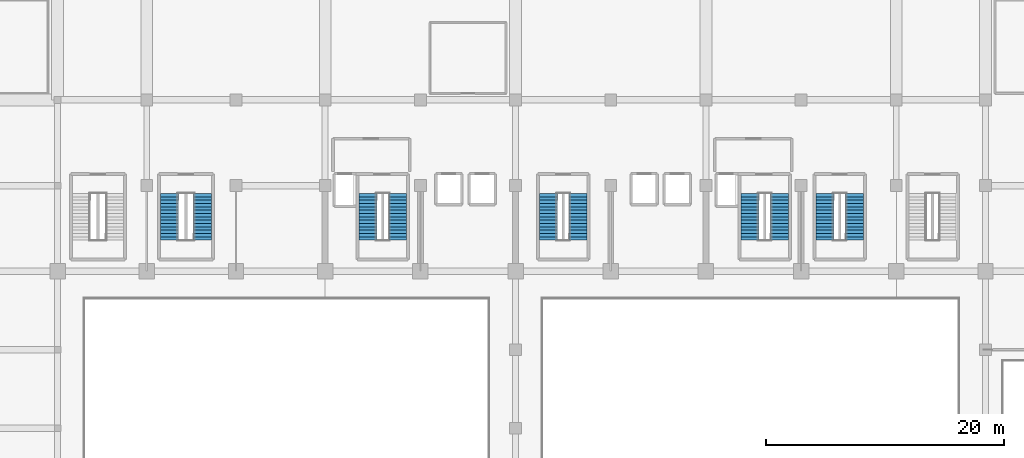
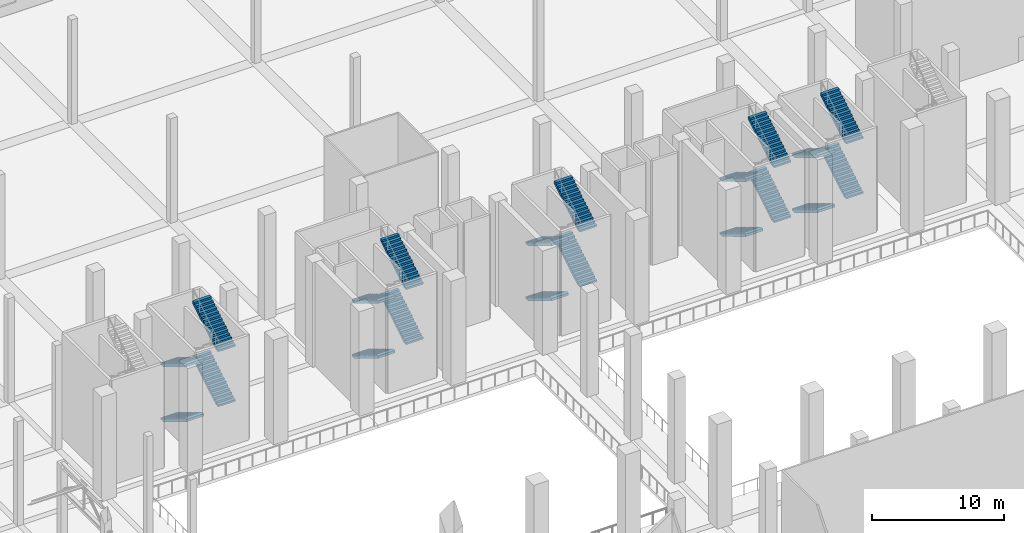
# One storey, part 74 of 80: 20 stair flights, 5 elements without a shape of their own.
"""IFC4 building model written with IfcOpenShell, lengths in metres."""

from ifc_helpers import new_model, si_unit, direction, frame, origin, place, context, subcontext, project, spatial, polyline, outline, extrude, material, type_object, element, aggregate, save


model = new_model("IFC4")

# Units and contexts
model_context = context("Model", 3, precision=1e-05, world=origin(), true_north=direction((0.0, 1.0)))
body_context = subcontext(model_context, "Body", "Model", "MODEL_VIEW")
ifc_project = project(units=[si_unit("LENGTHUNIT", "METRE"), si_unit("AREAUNIT", "SQUARE_METRE"), si_unit("VOLUMEUNIT", "CUBIC_METRE"), si_unit("PLANEANGLEUNIT", "RADIAN"), si_unit("MASSUNIT", "GRAM", prefix="KILO")], contexts=[model_context])

# Site, building, storey
site_placement = place(None, origin())
site = spatial("IfcSite", under=ifc_project, at=site_placement, CompositionType="ELEMENT")
building_placement = place(site_placement, origin())
building = spatial("IfcBuilding", under=site, at=building_placement, Name="Akrevak Sports Hall", CompositionType="ELEMENT")
storey_placement = place(building_placement, frame((0.0, 0.0, 14.0)))
storey = spatial("IfcBuildingStorey", under=building, at=storey_placement, Name="L03", CompositionType="ELEMENT", Elevation=14.0)

# Stair, stair flights
ifc_material = material(Name="Concrete C40/50", Category="concrete")
stair_type_1 = type_object("IfcStairType", Name="ARC-STR-DOG-1015", PredefinedType="HALF_TURN_STAIR", material=ifc_material)
stair_1_placement = place(storey_placement, origin())
stair_1 = element("IfcStair", 1, at=stair_1_placement, inside=storey, type_object=stair_type_1, Name="Protected Exit Stair ST1 (L03 to L04)", PredefinedType="HALF_TURN_STAIR")
stair_flight_type_1 = type_object("IfcStairFlightType", Name="ARC-FLT-165-169", PredefinedType="STRAIGHT", material=ifc_material)
stair_flight_1_placement = place(storey_placement, frame((63.610107421875, 61.735107421875, 0.0), z_axis=(0.0, 0.0, 1.0), x_axis=(0.0, -1.0, 0.0)))
stair_flight_1 = element("IfcStairFlight", 2, at=stair_flight_1_placement, type_object=stair_flight_type_1, Name="Stair ST1 Flight 1 (L03)", NumberOfRisers=15, NumberOfTreads=14, PredefinedType="STRAIGHT", RiserHeight=0.169167, TreadLength=0.28, context=body_context, shape_type="SweptSolid", body=[
    extrude(outline(polyline([(0.0, 0.0), (0.0, 0.169189453125), (0.280029296875, 0.169189453125), (0.280029296875, 0.33837890625), (0.56005859375, 0.33837890625), (0.56005859375, 0.507568359375), (0.840087890625, 0.507568359375), (0.840087890625, 0.6767578125), (1.1201171875, 0.6767578125), (1.1201171875, 0.845947265625), (1.39990234375, 0.845947265625), (1.39990234375, 1.014892578125), (1.679931640625, 1.014892578125), (1.679931640625, 1.18408203125), (1.9599609375, 1.18408203125), (1.9599609375, 1.353271484375), (2.239990234375, 1.353271484375), (2.239990234375, 1.5224609375), (2.52001953125, 1.5224609375), (2.52001953125, 1.691650390625), (2.800048828125, 1.691650390625), (2.800048828125, 1.86083984375), (3.080078125, 1.86083984375), (3.080078125, 2.030029296875), (3.360107421875, 2.030029296875), (3.360107421875, 2.19921875), (3.639892578125, 2.19921875), (3.639892578125, 2.368408203125), (3.919921875, 2.368408203125), (3.919921875, 2.53759765625), (3.919921875, 2.134765625), (0.38671875, 0.0), (0.0, 0.0)])), frame((0.0, 0.75, 0.0), z_axis=(0.0, -1.0, 0.0), x_axis=(1.0, 0.0, 0.0)), (0.0, 0.0, 1.0), 1.5),
])
stair_flight_2_placement = place(storey_placement, frame((66.090087890625, 57.81494140625, 2.53759765625), z_axis=(0.0, 0.0, 1.0), x_axis=(0.0, 1.0, 0.0)))
stair_flight_2 = element("IfcStairFlight", 3, at=stair_flight_2_placement, type_object=stair_flight_type_1, Name="Stair ST1 Flight 2 (L03)", NumberOfRisers=15, NumberOfTreads=14, PredefinedType="STRAIGHT", RiserHeight=0.169167, TreadLength=0.28, context=body_context, shape_type="SweptSolid", body=[
    extrude(outline(polyline([(0.0, 0.0), (0.0, 0.169189453125), (0.280029296875, 0.169189453125), (0.280029296875, 0.33837890625), (0.56005859375, 0.33837890625), (0.56005859375, 0.507568359375), (0.840087890625, 0.507568359375), (0.840087890625, 0.6767578125), (1.1201171875, 0.6767578125), (1.1201171875, 0.845947265625), (1.39990234375, 0.845947265625), (1.39990234375, 1.014892578125), (1.679931640625, 1.014892578125), (1.679931640625, 1.18408203125), (1.9599609375, 1.18408203125), (1.9599609375, 1.353271484375), (2.239990234375, 1.353271484375), (2.239990234375, 1.5224609375), (2.52001953125, 1.5224609375), (2.52001953125, 1.691650390625), (2.800048828125, 1.691650390625), (2.800048828125, 1.86083984375), (3.080078125, 1.86083984375), (3.080078125, 2.030029296875), (3.360107421875, 2.030029296875), (3.360107421875, 2.19921875), (3.639892578125, 2.19921875), (3.639892578125, 2.368408203125), (3.919921875, 2.368408203125), (3.919921875, 2.53759765625), (3.919921875, 2.134765625), (0.38671875, 0.0), (0.0, 0.0)])), frame((0.0, 0.75, 0.0), z_axis=(0.0, -1.0, 0.0), x_axis=(1.0, 0.0, 0.0)), (0.0, 0.0, 1.0), 1.5),
])
stair_flight_3_placement = place(storey_placement, frame((63.610107421875, 61.735107421875, 5.074951171875), z_axis=(0.0, 0.0, 1.0), x_axis=(0.0, -1.0, 0.0)))
stair_flight_3 = element("IfcStairFlight", 4, at=stair_flight_3_placement, type_object=stair_flight_type_1, Name="Stair ST1 Flight 3 (L03)", NumberOfRisers=15, NumberOfTreads=14, PredefinedType="STRAIGHT", RiserHeight=0.169167, TreadLength=0.28, context=body_context, shape_type="SweptSolid", body=[
    extrude(outline(polyline([(0.0, 0.0), (0.0, 0.169189453125), (0.280029296875, 0.169189453125), (0.280029296875, 0.33837890625), (0.56005859375, 0.33837890625), (0.56005859375, 0.507568359375), (0.840087890625, 0.507568359375), (0.840087890625, 0.6767578125), (1.1201171875, 0.6767578125), (1.1201171875, 0.845947265625), (1.39990234375, 0.845947265625), (1.39990234375, 1.014892578125), (1.679931640625, 1.014892578125), (1.679931640625, 1.18408203125), (1.9599609375, 1.18408203125), (1.9599609375, 1.353271484375), (2.239990234375, 1.353271484375), (2.239990234375, 1.5224609375), (2.52001953125, 1.5224609375), (2.52001953125, 1.691650390625), (2.800048828125, 1.691650390625), (2.800048828125, 1.86083984375), (3.080078125, 1.86083984375), (3.080078125, 2.030029296875), (3.360107421875, 2.030029296875), (3.360107421875, 2.19921875), (3.639892578125, 2.19921875), (3.639892578125, 2.368408203125), (3.919921875, 2.368408203125), (3.919921875, 2.53759765625), (3.919921875, 2.134765625), (0.38671875, 0.0), (0.0, 0.0)])), frame((0.0, 0.75, 0.0), z_axis=(0.0, -1.0, 0.0), x_axis=(1.0, 0.0, 0.0)), (0.0, 0.0, 1.0), 1.5),
])
stair_flight_4_placement = place(storey_placement, frame((66.090087890625, 57.81494140625, 7.612548828125), z_axis=(0.0, 0.0, 1.0), x_axis=(0.0, 1.0, 0.0)))
stair_flight_4 = element("IfcStairFlight", 5, at=stair_flight_4_placement, type_object=stair_flight_type_1, Name="Stair ST1 Flight 4 (L03)", NumberOfRisers=15, NumberOfTreads=14, PredefinedType="STRAIGHT", RiserHeight=0.169167, TreadLength=0.28, context=body_context, shape_type="SweptSolid", body=[
    extrude(outline(polyline([(0.0, 0.0), (0.0, 0.169189453125), (0.280029296875, 0.169189453125), (0.280029296875, 0.33837890625), (0.56005859375, 0.33837890625), (0.56005859375, 0.507568359375), (0.840087890625, 0.507568359375), (0.840087890625, 0.6767578125), (1.1201171875, 0.6767578125), (1.1201171875, 0.845947265625), (1.39990234375, 0.845947265625), (1.39990234375, 1.014892578125), (1.679931640625, 1.014892578125), (1.679931640625, 1.18408203125), (1.9599609375, 1.18408203125), (1.9599609375, 1.353271484375), (2.239990234375, 1.353271484375), (2.239990234375, 1.5224609375), (2.52001953125, 1.5224609375), (2.52001953125, 1.691650390625), (2.800048828125, 1.691650390625), (2.800048828125, 1.86083984375), (3.080078125, 1.86083984375), (3.080078125, 2.030029296875), (3.360107421875, 2.030029296875), (3.360107421875, 2.19921875), (3.639892578125, 2.19921875), (3.639892578125, 2.368408203125), (3.919921875, 2.368408203125), (3.919921875, 2.53759765625), (3.919921875, 2.134765625), (0.38671875, 0.0), (0.0, 0.0)])), frame((0.0, 0.75, 0.0), z_axis=(0.0, -1.0, 0.0), x_axis=(1.0, 0.0, 0.0)), (0.0, 0.0, 1.0), 1.5),
])
aggregate(stair_1, [stair_flight_1, stair_flight_2, stair_flight_3, stair_flight_4])

stair_2_placement = place(storey_placement, origin())
stair_2 = element("IfcStair", 6, at=stair_2_placement, inside=storey, type_object=stair_type_1, Name="Protected Exit Stair ST2 (L03 to L04)", PredefinedType="HALF_TURN_STAIR")
stair_flight_5_placement = place(storey_placement, frame((95.7099609375, 61.735107421875, 0.0), z_axis=(0.0, 0.0, 1.0), x_axis=(0.0, -1.0, 0.0)))
stair_flight_5 = element("IfcStairFlight", 7, at=stair_flight_5_placement, type_object=stair_flight_type_1, Name="Stair ST2 Flight 1 (L03)", NumberOfRisers=15, NumberOfTreads=14, PredefinedType="STRAIGHT", RiserHeight=0.169167, TreadLength=0.28, context=body_context, shape_type="SweptSolid", body=[
    extrude(outline(polyline([(0.0, 0.0), (0.0, 0.169189453125), (0.280029296875, 0.169189453125), (0.280029296875, 0.33837890625), (0.56005859375, 0.33837890625), (0.56005859375, 0.507568359375), (0.840087890625, 0.507568359375), (0.840087890625, 0.6767578125), (1.1201171875, 0.6767578125), (1.1201171875, 0.845947265625), (1.39990234375, 0.845947265625), (1.39990234375, 1.014892578125), (1.679931640625, 1.014892578125), (1.679931640625, 1.18408203125), (1.9599609375, 1.18408203125), (1.9599609375, 1.353271484375), (2.239990234375, 1.353271484375), (2.239990234375, 1.5224609375), (2.52001953125, 1.5224609375), (2.52001953125, 1.691650390625), (2.800048828125, 1.691650390625), (2.800048828125, 1.86083984375), (3.080078125, 1.86083984375), (3.080078125, 2.030029296875), (3.360107421875, 2.030029296875), (3.360107421875, 2.19921875), (3.639892578125, 2.19921875), (3.639892578125, 2.368408203125), (3.919921875, 2.368408203125), (3.919921875, 2.53759765625), (3.919921875, 2.134765625), (0.38671875, 0.0), (0.0, 0.0)])), frame((0.0, 0.75, 0.0), z_axis=(0.0, -1.0, 0.0), x_axis=(1.0, 0.0, 0.0)), (0.0, 0.0, 1.0), 1.5),
])
stair_flight_6_placement = place(storey_placement, frame((98.18994140625, 57.81494140625, 2.53759765625), z_axis=(0.0, 0.0, 1.0), x_axis=(0.0, 1.0, 0.0)))
stair_flight_6 = element("IfcStairFlight", 8, at=stair_flight_6_placement, type_object=stair_flight_type_1, Name="Stair ST2 Flight 2 (L03)", NumberOfRisers=15, NumberOfTreads=14, PredefinedType="STRAIGHT", RiserHeight=0.169167, TreadLength=0.28, context=body_context, shape_type="SweptSolid", body=[
    extrude(outline(polyline([(0.0, 0.0), (0.0, 0.169189453125), (0.280029296875, 0.169189453125), (0.280029296875, 0.33837890625), (0.56005859375, 0.33837890625), (0.56005859375, 0.507568359375), (0.840087890625, 0.507568359375), (0.840087890625, 0.6767578125), (1.1201171875, 0.6767578125), (1.1201171875, 0.845947265625), (1.39990234375, 0.845947265625), (1.39990234375, 1.014892578125), (1.679931640625, 1.014892578125), (1.679931640625, 1.18408203125), (1.9599609375, 1.18408203125), (1.9599609375, 1.353271484375), (2.239990234375, 1.353271484375), (2.239990234375, 1.5224609375), (2.52001953125, 1.5224609375), (2.52001953125, 1.691650390625), (2.800048828125, 1.691650390625), (2.800048828125, 1.86083984375), (3.080078125, 1.86083984375), (3.080078125, 2.030029296875), (3.360107421875, 2.030029296875), (3.360107421875, 2.19921875), (3.639892578125, 2.19921875), (3.639892578125, 2.368408203125), (3.919921875, 2.368408203125), (3.919921875, 2.53759765625), (3.919921875, 2.134765625), (0.38671875, 0.0), (0.0, 0.0)])), frame((0.0, 0.75, 0.0), z_axis=(0.0, -1.0, 0.0), x_axis=(1.0, 0.0, 0.0)), (0.0, 0.0, 1.0), 1.5),
])
stair_flight_7_placement = place(storey_placement, frame((95.7099609375, 61.735107421875, 5.074951171875), z_axis=(0.0, 0.0, 1.0), x_axis=(0.0, -1.0, 0.0)))
stair_flight_7 = element("IfcStairFlight", 9, at=stair_flight_7_placement, type_object=stair_flight_type_1, Name="Stair ST2 Flight 3 (L03)", NumberOfRisers=15, NumberOfTreads=14, PredefinedType="STRAIGHT", RiserHeight=0.169167, TreadLength=0.28, context=body_context, shape_type="SweptSolid", body=[
    extrude(outline(polyline([(0.0, 0.0), (0.0, 0.169189453125), (0.280029296875, 0.169189453125), (0.280029296875, 0.33837890625), (0.56005859375, 0.33837890625), (0.56005859375, 0.507568359375), (0.840087890625, 0.507568359375), (0.840087890625, 0.6767578125), (1.1201171875, 0.6767578125), (1.1201171875, 0.845947265625), (1.39990234375, 0.845947265625), (1.39990234375, 1.014892578125), (1.679931640625, 1.014892578125), (1.679931640625, 1.18408203125), (1.9599609375, 1.18408203125), (1.9599609375, 1.353271484375), (2.239990234375, 1.353271484375), (2.239990234375, 1.5224609375), (2.52001953125, 1.5224609375), (2.52001953125, 1.691650390625), (2.800048828125, 1.691650390625), (2.800048828125, 1.86083984375), (3.080078125, 1.86083984375), (3.080078125, 2.030029296875), (3.360107421875, 2.030029296875), (3.360107421875, 2.19921875), (3.639892578125, 2.19921875), (3.639892578125, 2.368408203125), (3.919921875, 2.368408203125), (3.919921875, 2.53759765625), (3.919921875, 2.134765625), (0.38671875, 0.0), (0.0, 0.0)])), frame((0.0, 0.75, 0.0), z_axis=(0.0, -1.0, 0.0), x_axis=(1.0, 0.0, 0.0)), (0.0, 0.0, 1.0), 1.5),
])
stair_flight_8_placement = place(storey_placement, frame((98.18994140625, 57.81494140625, 7.612548828125), z_axis=(0.0, 0.0, 1.0), x_axis=(0.0, 1.0, 0.0)))
stair_flight_8 = element("IfcStairFlight", 10, at=stair_flight_8_placement, type_object=stair_flight_type_1, Name="Stair ST2 Flight 4 (L03)", NumberOfRisers=15, NumberOfTreads=14, PredefinedType="STRAIGHT", RiserHeight=0.169167, TreadLength=0.28, context=body_context, shape_type="SweptSolid", body=[
    extrude(outline(polyline([(0.0, 0.0), (0.0, 0.169189453125), (0.280029296875, 0.169189453125), (0.280029296875, 0.33837890625), (0.56005859375, 0.33837890625), (0.56005859375, 0.507568359375), (0.840087890625, 0.507568359375), (0.840087890625, 0.6767578125), (1.1201171875, 0.6767578125), (1.1201171875, 0.845947265625), (1.39990234375, 0.845947265625), (1.39990234375, 1.014892578125), (1.679931640625, 1.014892578125), (1.679931640625, 1.18408203125), (1.9599609375, 1.18408203125), (1.9599609375, 1.353271484375), (2.239990234375, 1.353271484375), (2.239990234375, 1.5224609375), (2.52001953125, 1.5224609375), (2.52001953125, 1.691650390625), (2.800048828125, 1.691650390625), (2.800048828125, 1.86083984375), (3.080078125, 1.86083984375), (3.080078125, 2.030029296875), (3.360107421875, 2.030029296875), (3.360107421875, 2.19921875), (3.639892578125, 2.19921875), (3.639892578125, 2.368408203125), (3.919921875, 2.368408203125), (3.919921875, 2.53759765625), (3.919921875, 2.134765625), (0.38671875, 0.0), (0.0, 0.0)])), frame((0.0, 0.75, 0.0), z_axis=(0.0, -1.0, 0.0), x_axis=(1.0, 0.0, 0.0)), (0.0, 0.0, 1.0), 1.5),
])
aggregate(stair_2, [stair_flight_5, stair_flight_6, stair_flight_7, stair_flight_8])

stair_3_placement = place(storey_placement, origin())
stair_3 = element("IfcStair", 11, at=stair_3_placement, inside=storey, type_object=stair_type_1, Name="Protected Exit Stair ST3 (L03 to L04)", PredefinedType="HALF_TURN_STAIR")
stair_flight_9_placement = place(storey_placement, frame((78.760009765625, 61.735107421875, 0.0), z_axis=(0.0, 0.0, 1.0), x_axis=(0.0, -1.0, 0.0)))
stair_flight_9 = element("IfcStairFlight", 12, at=stair_flight_9_placement, type_object=stair_flight_type_1, Name="Stair ST3 Flight 1 (L03)", NumberOfRisers=15, NumberOfTreads=14, PredefinedType="STRAIGHT", RiserHeight=0.169167, TreadLength=0.28, context=body_context, shape_type="SweptSolid", body=[
    extrude(outline(polyline([(0.0, 0.0), (0.0, 0.169189453125), (0.280029296875, 0.169189453125), (0.280029296875, 0.33837890625), (0.56005859375, 0.33837890625), (0.56005859375, 0.507568359375), (0.840087890625, 0.507568359375), (0.840087890625, 0.6767578125), (1.1201171875, 0.6767578125), (1.1201171875, 0.845947265625), (1.39990234375, 0.845947265625), (1.39990234375, 1.014892578125), (1.679931640625, 1.014892578125), (1.679931640625, 1.18408203125), (1.9599609375, 1.18408203125), (1.9599609375, 1.353271484375), (2.239990234375, 1.353271484375), (2.239990234375, 1.5224609375), (2.52001953125, 1.5224609375), (2.52001953125, 1.691650390625), (2.800048828125, 1.691650390625), (2.800048828125, 1.86083984375), (3.080078125, 1.86083984375), (3.080078125, 2.030029296875), (3.360107421875, 2.030029296875), (3.360107421875, 2.19921875), (3.639892578125, 2.19921875), (3.639892578125, 2.368408203125), (3.919921875, 2.368408203125), (3.919921875, 2.53759765625), (3.919921875, 2.134765625), (0.38671875, 0.0), (0.0, 0.0)])), frame((0.0, 0.75, 0.0), z_axis=(0.0, -1.0, 0.0), x_axis=(1.0, 0.0, 0.0)), (0.0, 0.0, 1.0), 1.5),
])
stair_flight_10_placement = place(storey_placement, frame((81.239990234375, 57.81494140625, 2.53759765625), z_axis=(0.0, 0.0, 1.0), x_axis=(0.0, 1.0, 0.0)))
stair_flight_10 = element("IfcStairFlight", 13, at=stair_flight_10_placement, type_object=stair_flight_type_1, Name="Stair ST3 Flight 2 (L03)", NumberOfRisers=15, NumberOfTreads=14, PredefinedType="STRAIGHT", RiserHeight=0.169167, TreadLength=0.28, context=body_context, shape_type="SweptSolid", body=[
    extrude(outline(polyline([(0.0, 0.0), (0.0, 0.169189453125), (0.280029296875, 0.169189453125), (0.280029296875, 0.33837890625), (0.56005859375, 0.33837890625), (0.56005859375, 0.507568359375), (0.840087890625, 0.507568359375), (0.840087890625, 0.6767578125), (1.1201171875, 0.6767578125), (1.1201171875, 0.845947265625), (1.39990234375, 0.845947265625), (1.39990234375, 1.014892578125), (1.679931640625, 1.014892578125), (1.679931640625, 1.18408203125), (1.9599609375, 1.18408203125), (1.9599609375, 1.353271484375), (2.239990234375, 1.353271484375), (2.239990234375, 1.5224609375), (2.52001953125, 1.5224609375), (2.52001953125, 1.691650390625), (2.800048828125, 1.691650390625), (2.800048828125, 1.86083984375), (3.080078125, 1.86083984375), (3.080078125, 2.030029296875), (3.360107421875, 2.030029296875), (3.360107421875, 2.19921875), (3.639892578125, 2.19921875), (3.639892578125, 2.368408203125), (3.919921875, 2.368408203125), (3.919921875, 2.53759765625), (3.919921875, 2.134765625), (0.38671875, 0.0), (0.0, 0.0)])), frame((0.0, 0.75, 0.0), z_axis=(0.0, -1.0, 0.0), x_axis=(1.0, 0.0, 0.0)), (0.0, 0.0, 1.0), 1.5),
])
stair_flight_11_placement = place(storey_placement, frame((78.760009765625, 61.735107421875, 5.074951171875), z_axis=(0.0, 0.0, 1.0), x_axis=(0.0, -1.0, 0.0)))
stair_flight_11 = element("IfcStairFlight", 14, at=stair_flight_11_placement, type_object=stair_flight_type_1, Name="Stair ST3 Flight 3 (L03)", NumberOfRisers=15, NumberOfTreads=14, PredefinedType="STRAIGHT", RiserHeight=0.169167, TreadLength=0.28, context=body_context, shape_type="SweptSolid", body=[
    extrude(outline(polyline([(0.0, 0.0), (0.0, 0.169189453125), (0.280029296875, 0.169189453125), (0.280029296875, 0.33837890625), (0.56005859375, 0.33837890625), (0.56005859375, 0.507568359375), (0.840087890625, 0.507568359375), (0.840087890625, 0.6767578125), (1.1201171875, 0.6767578125), (1.1201171875, 0.845947265625), (1.39990234375, 0.845947265625), (1.39990234375, 1.014892578125), (1.679931640625, 1.014892578125), (1.679931640625, 1.18408203125), (1.9599609375, 1.18408203125), (1.9599609375, 1.353271484375), (2.239990234375, 1.353271484375), (2.239990234375, 1.5224609375), (2.52001953125, 1.5224609375), (2.52001953125, 1.691650390625), (2.800048828125, 1.691650390625), (2.800048828125, 1.86083984375), (3.080078125, 1.86083984375), (3.080078125, 2.030029296875), (3.360107421875, 2.030029296875), (3.360107421875, 2.19921875), (3.639892578125, 2.19921875), (3.639892578125, 2.368408203125), (3.919921875, 2.368408203125), (3.919921875, 2.53759765625), (3.919921875, 2.134765625), (0.38671875, 0.0), (0.0, 0.0)])), frame((0.0, 0.75, 0.0), z_axis=(0.0, -1.0, 0.0), x_axis=(1.0, 0.0, 0.0)), (0.0, 0.0, 1.0), 1.5),
])
stair_flight_12_placement = place(storey_placement, frame((81.239990234375, 57.81494140625, 7.612548828125), z_axis=(0.0, 0.0, 1.0), x_axis=(0.0, 1.0, 0.0)))
stair_flight_12 = element("IfcStairFlight", 15, at=stair_flight_12_placement, type_object=stair_flight_type_1, Name="Stair ST3 Flight 4 (L03)", NumberOfRisers=15, NumberOfTreads=14, PredefinedType="STRAIGHT", RiserHeight=0.169167, TreadLength=0.28, context=body_context, shape_type="SweptSolid", body=[
    extrude(outline(polyline([(0.0, 0.0), (0.0, 0.169189453125), (0.280029296875, 0.169189453125), (0.280029296875, 0.33837890625), (0.56005859375, 0.33837890625), (0.56005859375, 0.507568359375), (0.840087890625, 0.507568359375), (0.840087890625, 0.6767578125), (1.1201171875, 0.6767578125), (1.1201171875, 0.845947265625), (1.39990234375, 0.845947265625), (1.39990234375, 1.014892578125), (1.679931640625, 1.014892578125), (1.679931640625, 1.18408203125), (1.9599609375, 1.18408203125), (1.9599609375, 1.353271484375), (2.239990234375, 1.353271484375), (2.239990234375, 1.5224609375), (2.52001953125, 1.5224609375), (2.52001953125, 1.691650390625), (2.800048828125, 1.691650390625), (2.800048828125, 1.86083984375), (3.080078125, 1.86083984375), (3.080078125, 2.030029296875), (3.360107421875, 2.030029296875), (3.360107421875, 2.19921875), (3.639892578125, 2.19921875), (3.639892578125, 2.368408203125), (3.919921875, 2.368408203125), (3.919921875, 2.53759765625), (3.919921875, 2.134765625), (0.38671875, 0.0), (0.0, 0.0)])), frame((0.0, 0.75, 0.0), z_axis=(0.0, -1.0, 0.0), x_axis=(1.0, 0.0, 0.0)), (0.0, 0.0, 1.0), 1.5),
])
aggregate(stair_3, [stair_flight_9, stair_flight_10, stair_flight_11, stair_flight_12])

stair_4_placement = place(storey_placement, origin())
stair_4 = element("IfcStair", 16, at=stair_4_placement, inside=storey, type_object=stair_type_1, Name="East Wing Exit Stair ST10 (L03 to L04)", PredefinedType="HALF_TURN_STAIR")
stair_flight_13_placement = place(storey_placement, frame((102.010009765625, 61.735107421875, 0.0), z_axis=(0.0, 0.0, 1.0), x_axis=(0.0, -1.0, 0.0)))
stair_flight_13 = element("IfcStairFlight", 17, at=stair_flight_13_placement, type_object=stair_flight_type_1, Name="Stair ST10 Flight 1 (L03)", NumberOfRisers=15, NumberOfTreads=14, PredefinedType="STRAIGHT", RiserHeight=0.169167, TreadLength=0.28, context=body_context, shape_type="SweptSolid", body=[
    extrude(outline(polyline([(0.0, 0.0), (0.0, 0.169189453125), (0.280029296875, 0.169189453125), (0.280029296875, 0.33837890625), (0.56005859375, 0.33837890625), (0.56005859375, 0.507568359375), (0.840087890625, 0.507568359375), (0.840087890625, 0.6767578125), (1.1201171875, 0.6767578125), (1.1201171875, 0.845947265625), (1.39990234375, 0.845947265625), (1.39990234375, 1.014892578125), (1.679931640625, 1.014892578125), (1.679931640625, 1.18408203125), (1.9599609375, 1.18408203125), (1.9599609375, 1.353271484375), (2.239990234375, 1.353271484375), (2.239990234375, 1.5224609375), (2.52001953125, 1.5224609375), (2.52001953125, 1.691650390625), (2.800048828125, 1.691650390625), (2.800048828125, 1.86083984375), (3.080078125, 1.86083984375), (3.080078125, 2.030029296875), (3.360107421875, 2.030029296875), (3.360107421875, 2.19921875), (3.639892578125, 2.19921875), (3.639892578125, 2.368408203125), (3.919921875, 2.368408203125), (3.919921875, 2.53759765625), (3.919921875, 2.134765625), (0.38671875, 0.0), (0.0, 0.0)])), frame((0.0, 0.75, 0.0), z_axis=(0.0, -1.0, 0.0), x_axis=(1.0, 0.0, 0.0)), (0.0, 0.0, 1.0), 1.5),
])
stair_flight_14_placement = place(storey_placement, frame((104.489990234375, 57.81494140625, 2.53759765625), z_axis=(0.0, 0.0, 1.0), x_axis=(0.0, 1.0, 0.0)))
stair_flight_14 = element("IfcStairFlight", 18, at=stair_flight_14_placement, type_object=stair_flight_type_1, Name="Stair ST10 Flight 2 (L03)", NumberOfRisers=15, NumberOfTreads=14, PredefinedType="STRAIGHT", RiserHeight=0.169167, TreadLength=0.28, context=body_context, shape_type="SweptSolid", body=[
    extrude(outline(polyline([(0.0, 0.0), (0.0, 0.169189453125), (0.280029296875, 0.169189453125), (0.280029296875, 0.33837890625), (0.56005859375, 0.33837890625), (0.56005859375, 0.507568359375), (0.840087890625, 0.507568359375), (0.840087890625, 0.6767578125), (1.1201171875, 0.6767578125), (1.1201171875, 0.845947265625), (1.39990234375, 0.845947265625), (1.39990234375, 1.014892578125), (1.679931640625, 1.014892578125), (1.679931640625, 1.18408203125), (1.9599609375, 1.18408203125), (1.9599609375, 1.353271484375), (2.239990234375, 1.353271484375), (2.239990234375, 1.5224609375), (2.52001953125, 1.5224609375), (2.52001953125, 1.691650390625), (2.800048828125, 1.691650390625), (2.800048828125, 1.86083984375), (3.080078125, 1.86083984375), (3.080078125, 2.030029296875), (3.360107421875, 2.030029296875), (3.360107421875, 2.19921875), (3.639892578125, 2.19921875), (3.639892578125, 2.368408203125), (3.919921875, 2.368408203125), (3.919921875, 2.53759765625), (3.919921875, 2.134765625), (0.38671875, 0.0), (0.0, 0.0)])), frame((0.0, 0.75, 0.0), z_axis=(0.0, -1.0, 0.0), x_axis=(1.0, 0.0, 0.0)), (0.0, 0.0, 1.0), 1.5),
])
stair_flight_15_placement = place(storey_placement, frame((102.010009765625, 61.735107421875, 5.074951171875), z_axis=(0.0, 0.0, 1.0), x_axis=(0.0, -1.0, 0.0)))
stair_flight_15 = element("IfcStairFlight", 19, at=stair_flight_15_placement, type_object=stair_flight_type_1, Name="Stair ST10 Flight 3 (L03)", NumberOfRisers=15, NumberOfTreads=14, PredefinedType="STRAIGHT", RiserHeight=0.169167, TreadLength=0.28, context=body_context, shape_type="SweptSolid", body=[
    extrude(outline(polyline([(0.0, 0.0), (0.0, 0.169189453125), (0.280029296875, 0.169189453125), (0.280029296875, 0.33837890625), (0.56005859375, 0.33837890625), (0.56005859375, 0.507568359375), (0.840087890625, 0.507568359375), (0.840087890625, 0.6767578125), (1.1201171875, 0.6767578125), (1.1201171875, 0.845947265625), (1.39990234375, 0.845947265625), (1.39990234375, 1.014892578125), (1.679931640625, 1.014892578125), (1.679931640625, 1.18408203125), (1.9599609375, 1.18408203125), (1.9599609375, 1.353271484375), (2.239990234375, 1.353271484375), (2.239990234375, 1.5224609375), (2.52001953125, 1.5224609375), (2.52001953125, 1.691650390625), (2.800048828125, 1.691650390625), (2.800048828125, 1.86083984375), (3.080078125, 1.86083984375), (3.080078125, 2.030029296875), (3.360107421875, 2.030029296875), (3.360107421875, 2.19921875), (3.639892578125, 2.19921875), (3.639892578125, 2.368408203125), (3.919921875, 2.368408203125), (3.919921875, 2.53759765625), (3.919921875, 2.134765625), (0.38671875, 0.0), (0.0, 0.0)])), frame((0.0, 0.75, 0.0), z_axis=(0.0, -1.0, 0.0), x_axis=(1.0, 0.0, 0.0)), (0.0, 0.0, 1.0), 1.5),
])
stair_flight_16_placement = place(storey_placement, frame((104.489990234375, 57.81494140625, 7.612548828125), z_axis=(0.0, 0.0, 1.0), x_axis=(0.0, 1.0, 0.0)))
stair_flight_16 = element("IfcStairFlight", 20, at=stair_flight_16_placement, type_object=stair_flight_type_1, Name="Stair ST10 Flight 4 (L03)", NumberOfRisers=15, NumberOfTreads=14, PredefinedType="STRAIGHT", RiserHeight=0.169167, TreadLength=0.28, context=body_context, shape_type="SweptSolid", body=[
    extrude(outline(polyline([(0.0, 0.0), (0.0, 0.169189453125), (0.280029296875, 0.169189453125), (0.280029296875, 0.33837890625), (0.56005859375, 0.33837890625), (0.56005859375, 0.507568359375), (0.840087890625, 0.507568359375), (0.840087890625, 0.6767578125), (1.1201171875, 0.6767578125), (1.1201171875, 0.845947265625), (1.39990234375, 0.845947265625), (1.39990234375, 1.014892578125), (1.679931640625, 1.014892578125), (1.679931640625, 1.18408203125), (1.9599609375, 1.18408203125), (1.9599609375, 1.353271484375), (2.239990234375, 1.353271484375), (2.239990234375, 1.5224609375), (2.52001953125, 1.5224609375), (2.52001953125, 1.691650390625), (2.800048828125, 1.691650390625), (2.800048828125, 1.86083984375), (3.080078125, 1.86083984375), (3.080078125, 2.030029296875), (3.360107421875, 2.030029296875), (3.360107421875, 2.19921875), (3.639892578125, 2.19921875), (3.639892578125, 2.368408203125), (3.919921875, 2.368408203125), (3.919921875, 2.53759765625), (3.919921875, 2.134765625), (0.38671875, 0.0), (0.0, 0.0)])), frame((0.0, 0.75, 0.0), z_axis=(0.0, -1.0, 0.0), x_axis=(1.0, 0.0, 0.0)), (0.0, 0.0, 1.0), 1.5),
])
aggregate(stair_4, [stair_flight_13, stair_flight_14, stair_flight_15, stair_flight_16])

stair_type_2 = type_object("IfcStairType", Name="ARC-STR-MDOG-1015", PredefinedType="HALF_TURN_STAIR", material=ifc_material)
stair_5_placement = place(storey_placement, origin())
stair_5 = element("IfcStair", 21, at=stair_5_placement, inside=storey, type_object=stair_type_2, Name="Protected Exit Stair ST4 (L03 to L04)", PredefinedType="HALF_TURN_STAIR")
stair_flight_type_2 = type_object("IfcStairFlightType", Name="ARC-FLT-200-169", PredefinedType="STRAIGHT", material=ifc_material)
stair_flight_17_placement = place(storey_placement, frame((46.9150390625, 61.735107421875, 0.0), z_axis=(0.0, 0.0, 1.0), x_axis=(0.0, -1.0, 0.0)))
stair_flight_17 = element("IfcStairFlight", 22, at=stair_flight_17_placement, type_object=stair_flight_type_2, Name="Stair ST4 Flight 1 (L03)", NumberOfRisers=15, NumberOfTreads=14, PredefinedType="STRAIGHT", RiserHeight=0.169167, TreadLength=0.28, context=body_context, shape_type="SweptSolid", body=[
    extrude(outline(polyline([(0.0, 0.0), (0.0, 0.169189453125), (0.280029296875, 0.169189453125), (0.280029296875, 0.33837890625), (0.56005859375, 0.33837890625), (0.56005859375, 0.507568359375), (0.840087890625, 0.507568359375), (0.840087890625, 0.6767578125), (1.1201171875, 0.6767578125), (1.1201171875, 0.845947265625), (1.39990234375, 0.845947265625), (1.39990234375, 1.014892578125), (1.679931640625, 1.014892578125), (1.679931640625, 1.18408203125), (1.9599609375, 1.18408203125), (1.9599609375, 1.353271484375), (2.239990234375, 1.353271484375), (2.239990234375, 1.5224609375), (2.52001953125, 1.5224609375), (2.52001953125, 1.691650390625), (2.800048828125, 1.691650390625), (2.800048828125, 1.86083984375), (3.080078125, 1.86083984375), (3.080078125, 2.030029296875), (3.360107421875, 2.030029296875), (3.360107421875, 2.19921875), (3.639892578125, 2.19921875), (3.639892578125, 2.368408203125), (3.919921875, 2.368408203125), (3.919921875, 2.53759765625), (3.919921875, 2.134765625), (0.38671875, 0.0), (0.0, 0.0)])), frame((0.0, 0.7548828125, 0.0), z_axis=(0.0, -1.0, 0.0), x_axis=(1.0, 0.0, 0.0)), (0.0, 0.0, 1.0), 1.510009765625),
])
stair_flight_18_placement = place(storey_placement, frame((49.68505859375, 57.81494140625, 2.53759765625), z_axis=(0.0, 0.0, 1.0), x_axis=(0.0, 1.0, 0.0)))
stair_flight_18 = element("IfcStairFlight", 23, at=stair_flight_18_placement, type_object=stair_flight_type_2, Name="Stair ST4 Flight 2 (L03)", NumberOfRisers=15, NumberOfTreads=14, PredefinedType="STRAIGHT", RiserHeight=0.169167, TreadLength=0.28, context=body_context, shape_type="SweptSolid", body=[
    extrude(outline(polyline([(0.0, 0.0), (0.0, 0.169189453125), (0.280029296875, 0.169189453125), (0.280029296875, 0.33837890625), (0.56005859375, 0.33837890625), (0.56005859375, 0.507568359375), (0.840087890625, 0.507568359375), (0.840087890625, 0.6767578125), (1.1201171875, 0.6767578125), (1.1201171875, 0.845947265625), (1.39990234375, 0.845947265625), (1.39990234375, 1.014892578125), (1.679931640625, 1.014892578125), (1.679931640625, 1.18408203125), (1.9599609375, 1.18408203125), (1.9599609375, 1.353271484375), (2.239990234375, 1.353271484375), (2.239990234375, 1.5224609375), (2.52001953125, 1.5224609375), (2.52001953125, 1.691650390625), (2.800048828125, 1.691650390625), (2.800048828125, 1.86083984375), (3.080078125, 1.86083984375), (3.080078125, 2.030029296875), (3.360107421875, 2.030029296875), (3.360107421875, 2.19921875), (3.639892578125, 2.19921875), (3.639892578125, 2.368408203125), (3.919921875, 2.368408203125), (3.919921875, 2.53759765625), (3.919921875, 2.134765625), (0.38671875, 0.0), (0.0, 0.0)])), frame((0.0, 0.7548828125, 0.0), z_axis=(0.0, -1.0, 0.0), x_axis=(1.0, 0.0, 0.0)), (0.0, 0.0, 1.0), 1.510009765625),
])
stair_flight_19_placement = place(storey_placement, frame((46.9150390625, 61.735107421875, 5.074951171875), z_axis=(0.0, 0.0, 1.0), x_axis=(0.0, -1.0, 0.0)))
stair_flight_19 = element("IfcStairFlight", 24, at=stair_flight_19_placement, type_object=stair_flight_type_2, Name="Stair ST4 Flight 3 (L03)", NumberOfRisers=15, NumberOfTreads=14, PredefinedType="STRAIGHT", RiserHeight=0.169167, TreadLength=0.28, context=body_context, shape_type="SweptSolid", body=[
    extrude(outline(polyline([(0.0, 0.0), (0.0, 0.169189453125), (0.280029296875, 0.169189453125), (0.280029296875, 0.33837890625), (0.56005859375, 0.33837890625), (0.56005859375, 0.507568359375), (0.840087890625, 0.507568359375), (0.840087890625, 0.6767578125), (1.1201171875, 0.6767578125), (1.1201171875, 0.845947265625), (1.39990234375, 0.845947265625), (1.39990234375, 1.014892578125), (1.679931640625, 1.014892578125), (1.679931640625, 1.18408203125), (1.9599609375, 1.18408203125), (1.9599609375, 1.353271484375), (2.239990234375, 1.353271484375), (2.239990234375, 1.5224609375), (2.52001953125, 1.5224609375), (2.52001953125, 1.691650390625), (2.800048828125, 1.691650390625), (2.800048828125, 1.86083984375), (3.080078125, 1.86083984375), (3.080078125, 2.030029296875), (3.360107421875, 2.030029296875), (3.360107421875, 2.19921875), (3.639892578125, 2.19921875), (3.639892578125, 2.368408203125), (3.919921875, 2.368408203125), (3.919921875, 2.53759765625), (3.919921875, 2.134765625), (0.38671875, 0.0), (0.0, 0.0)])), frame((0.0, 0.7548828125, 0.0), z_axis=(0.0, -1.0, 0.0), x_axis=(1.0, 0.0, 0.0)), (0.0, 0.0, 1.0), 1.510009765625),
])
stair_flight_20_placement = place(storey_placement, frame((49.68505859375, 57.81494140625, 7.612548828125), z_axis=(0.0, 0.0, 1.0), x_axis=(0.0, 1.0, 0.0)))
stair_flight_20 = element("IfcStairFlight", 25, at=stair_flight_20_placement, type_object=stair_flight_type_2, Name="Stair ST4 Flight 4 (L03)", NumberOfRisers=15, NumberOfTreads=14, PredefinedType="STRAIGHT", RiserHeight=0.169167, TreadLength=0.28, context=body_context, shape_type="SweptSolid", body=[
    extrude(outline(polyline([(0.0, 0.0), (0.0, 0.169189453125), (0.280029296875, 0.169189453125), (0.280029296875, 0.33837890625), (0.56005859375, 0.33837890625), (0.56005859375, 0.507568359375), (0.840087890625, 0.507568359375), (0.840087890625, 0.6767578125), (1.1201171875, 0.6767578125), (1.1201171875, 0.845947265625), (1.39990234375, 0.845947265625), (1.39990234375, 1.014892578125), (1.679931640625, 1.014892578125), (1.679931640625, 1.18408203125), (1.9599609375, 1.18408203125), (1.9599609375, 1.353271484375), (2.239990234375, 1.353271484375), (2.239990234375, 1.5224609375), (2.52001953125, 1.5224609375), (2.52001953125, 1.691650390625), (2.800048828125, 1.691650390625), (2.800048828125, 1.86083984375), (3.080078125, 1.86083984375), (3.080078125, 2.030029296875), (3.360107421875, 2.030029296875), (3.360107421875, 2.19921875), (3.639892578125, 2.19921875), (3.639892578125, 2.368408203125), (3.919921875, 2.368408203125), (3.919921875, 2.53759765625), (3.919921875, 2.134765625), (0.38671875, 0.0), (0.0, 0.0)])), frame((0.0, 0.7548828125, 0.0), z_axis=(0.0, -1.0, 0.0), x_axis=(1.0, 0.0, 0.0)), (0.0, 0.0, 1.0), 1.510009765625),
])
aggregate(stair_5, [stair_flight_17, stair_flight_18, stair_flight_19, stair_flight_20])

save(model, "model.ifc")
